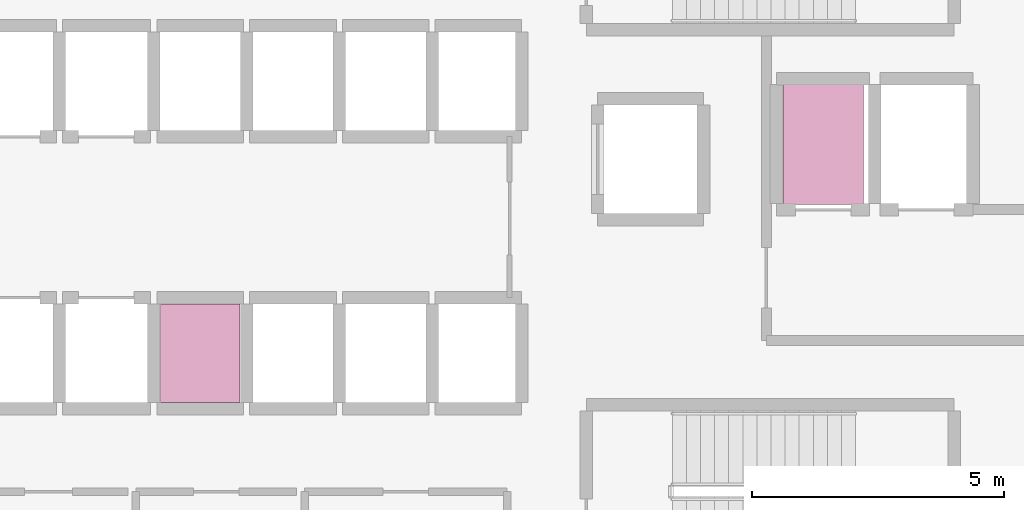
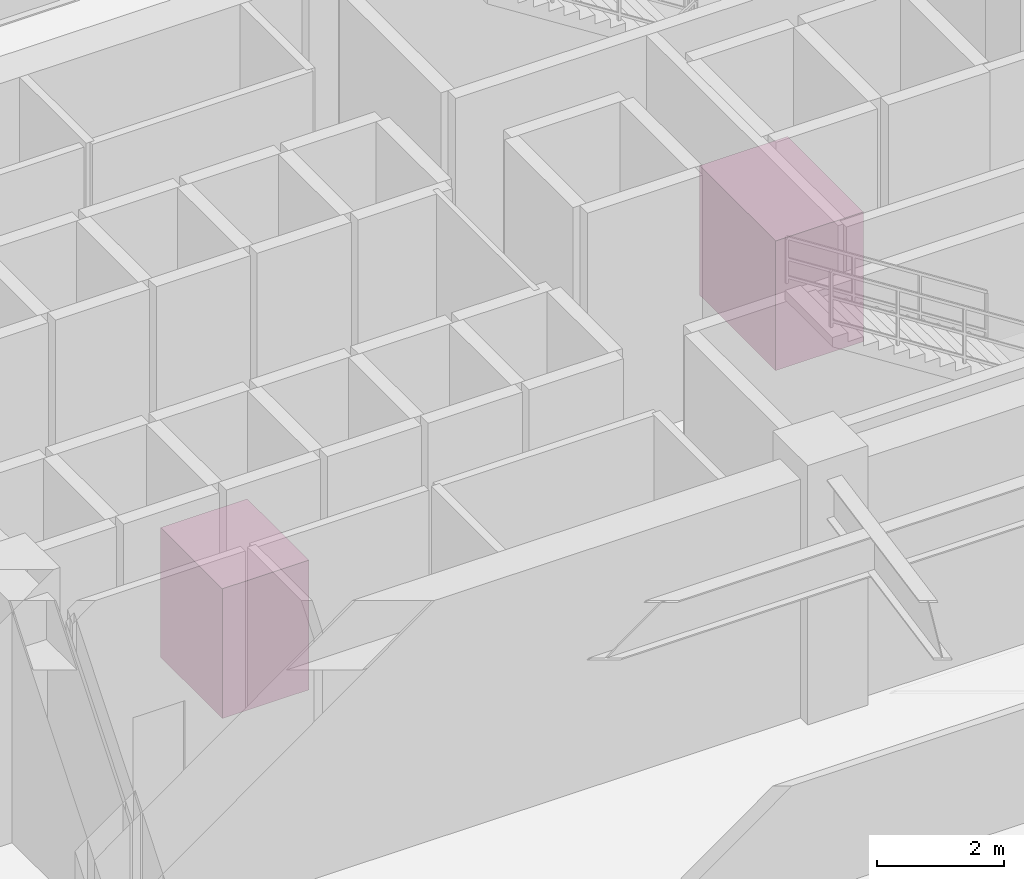
# One storey, part 26 of 26: 2 transport elements.
"""IFC4 building model written with IfcOpenShell, lengths in metres."""

from ifc_helpers import new_model, si_unit, direction, frame, origin, origin_2d, place, context, subcontext, project, spatial, rectangle, extrude, material, type_object, element, save


model = new_model("IFC4")

# Units and contexts
model_context = context("Model", 3, precision=1e-05, world=origin(), true_north=direction((0.0, 1.0)))
body_context = subcontext(model_context, "Body", "Model", "MODEL_VIEW")
ifc_project = project(units=[si_unit("LENGTHUNIT", "METRE"), si_unit("AREAUNIT", "SQUARE_METRE"), si_unit("VOLUMEUNIT", "CUBIC_METRE"), si_unit("PLANEANGLEUNIT", "RADIAN"), si_unit("MASSUNIT", "GRAM", prefix="KILO")], contexts=[model_context])

# Site, building, storey
site_placement = place(None, origin())
site = spatial("IfcSite", under=ifc_project, at=site_placement, CompositionType="ELEMENT")
building_placement = place(site_placement, origin())
building = spatial("IfcBuilding", under=site, at=building_placement, Name="Zulverin Broadcast Headquarters", CompositionType="ELEMENT")
storey_placement = place(building_placement, frame((0.0, 0.0, 20.0)))
storey = spatial("IfcBuildingStorey", under=building, at=storey_placement, Name="L04", CompositionType="ELEMENT", Elevation=20.0)

# Transport elements
ifc_material_1 = material(Name="Fire-rated stainless steel stretcher/firefighting lift car", Category="steel")
transport_element_type_1 = type_object("IfcTransportElementType", Name="LFT-FIRE-1600", PredefinedType="ELEVATOR", material=ifc_material_1)
transport_element_1_placement = place(storey_placement, frame((43.125, 26.64990234375, 0.02001953125), z_axis=(0.0, 0.0, 1.0), x_axis=(1.0, 0.0, 0.0)))
element("IfcTransportElement", 1, at=transport_element_1_placement, inside=storey, type_object=transport_element_type_1, Name="Elevator Car FFL-1 (1600 kg, B2-C6)", PredefinedType="ELEVATOR", context=body_context, shape_type="SweptSolid", body=[
    extrude(rectangle(XDim=1.60009765625, YDim=2.39990234375, at=origin_2d()), origin(), (0.0, 0.0, 1.0), 2.5),
])
ifc_material_2 = material(Name="Stainless steel & laminated glass elevator car", Category="steel")
transport_element_type_2 = type_object("IfcTransportElementType", Name="LFT-PASS-1600", PredefinedType="ELEVATOR", material=ifc_material_2)
transport_element_2_placement = place(storey_placement, frame((30.760009765625, 22.5, 0.02001953125), z_axis=(0.0, 0.0, 1.0), x_axis=(1.0, 0.0, 0.0)))
element("IfcTransportElement", 2, at=transport_element_2_placement, inside=storey, type_object=transport_element_type_2, Name="Elevator Car PL-M1 (1600 kg, L00-L55)", PredefinedType="ELEVATOR", context=body_context, shape_type="SweptSolid", body=[
    extrude(rectangle(XDim=1.580078125, YDim=1.949951171875, at=origin_2d()), origin(), (0.0, 0.0, 1.0), 2.5),
])

save(model, "model.ifc")
